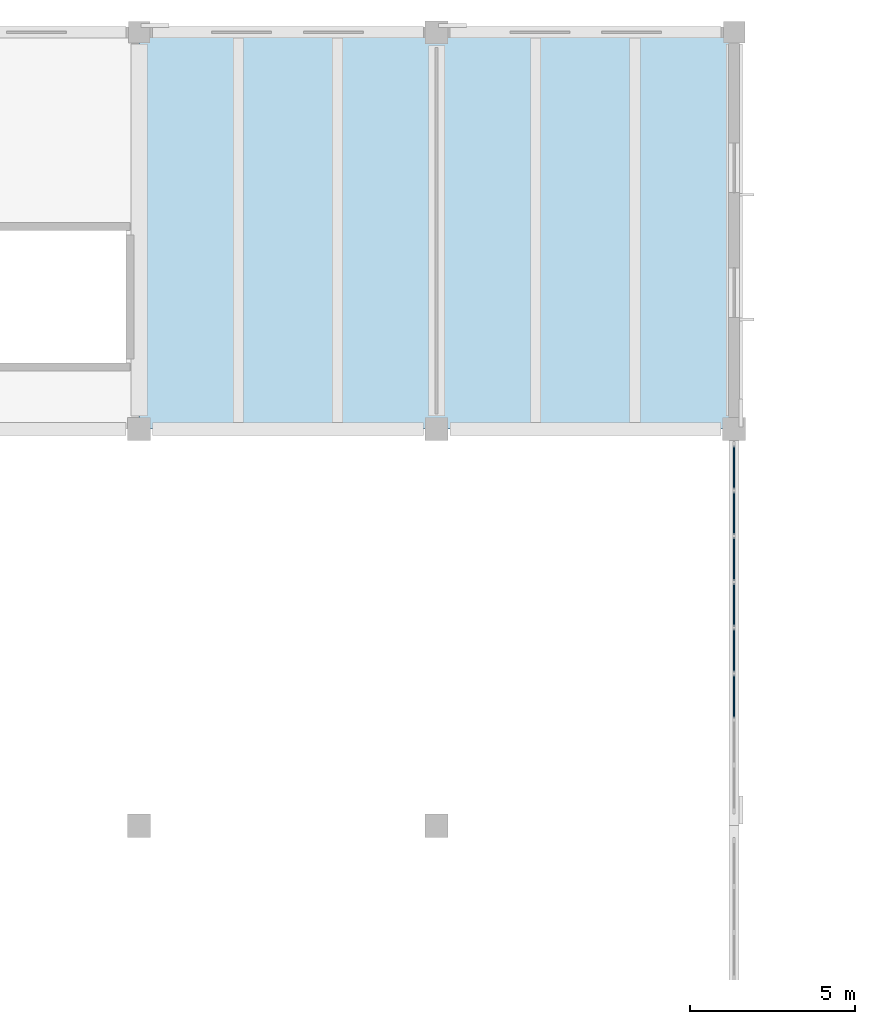
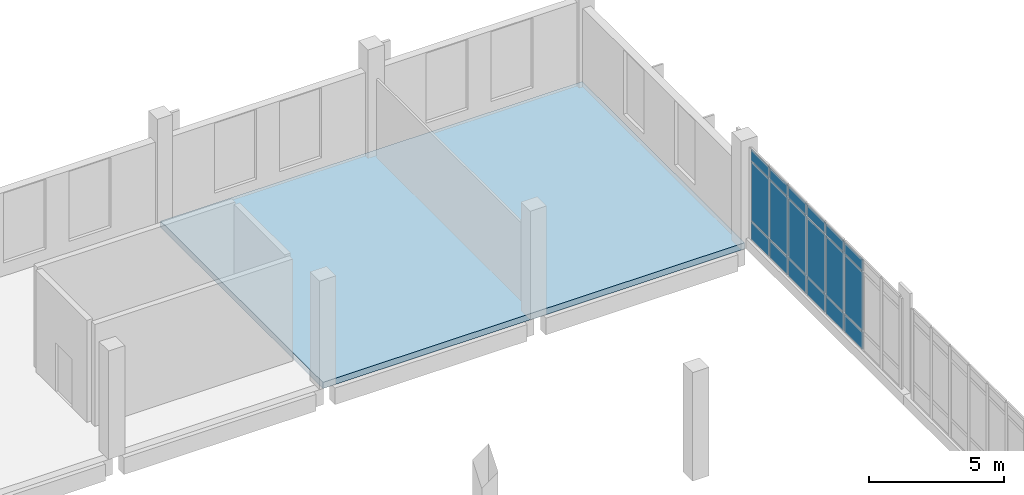
# One storey, part 70 of 110: 18 plates, 1 slab, 1 element without a shape of its own.
"""IFC4 building model written with IfcOpenShell, lengths in metres."""

import ifcopenshell
import ifcopenshell.guid

model = None  # the IFC model being written
_history = None  # IfcOwnerHistory: only IFC2X3 demands one
_inside = {}  # id of a spatial element -> (the spatial element, [elements in it])
_under = {}  # id of a project, library or spatial element -> (it, [spatial elements below it])
_declared = {}  # id of a project -> (the project, [libraries it declares])
_typed = {}  # id of a type object -> (the type object, [elements of that type])
_made_of = {}  # id of a material, layer set ... -> (it, [elements and type objects made of it])


def new_model(schema):
    """Start an empty IFC model of exactly this schema.

    Asked for "IFC4X3", IfcOpenShell would pick the latest addendum, in which some entities
    have other attributes; the version numbers below select the first issue.
    IFC2X3 requires an IfcOwnerHistory on every rooted entity: one is made here for all.
    """
    global model, _history
    if schema == "IFC4X3":
        model = ifcopenshell.file(schema_version=(4, 3, 0, 0))
    else:
        model = ifcopenshell.file(schema=schema)
    _inside.clear()
    _under.clear()
    _declared.clear()
    _typed.clear()
    _made_of.clear()
    _history = None
    if model.schema == "IFC2X3":
        org = make("IfcOrganization", Name="unknown")
        user = make(
            "IfcPersonAndOrganization",
            ThePerson=make("IfcPerson", FamilyName="unknown"),
            TheOrganization=org,
        )
        app = make(
            "IfcApplication",
            ApplicationDeveloper=org,
            Version="unknown",
            ApplicationFullName="unknown",
            ApplicationIdentifier="unknown",
        )
        _history = make(
            "IfcOwnerHistory",
            OwningUser=user,
            OwningApplication=app,
            ChangeAction="ADDED",
            CreationDate=0,
        )
    return model


def make(cls, **values):
    """One entity of the class cls with the attributes given. An attribute that is None is left unset."""
    return model.create_entity(
        cls, **{name: value for name, value in values.items() if value is not None}
    )


def rooted(cls, **values):
    """An entity with a GlobalId (a new one), such as an element, a storey or a relation."""
    return make(cls, GlobalId=ifcopenshell.guid.new(), OwnerHistory=_history, **values)


def si_unit(unit_type, name, prefix=None):
    """IfcSIUnit, for example si_unit("LENGTHUNIT", "METRE", prefix="MILLI")."""
    return make("IfcSIUnit", UnitType=unit_type, Prefix=prefix, Name=name)


def assignment(units):
    """IfcUnitAssignment: the units of a project."""
    return None if units is None else make("IfcUnitAssignment", Units=units)


def point(xyz):
    """IfcCartesianPoint."""
    return None if xyz is None else make("IfcCartesianPoint", Coordinates=xyz)


def direction(xyz):
    """IfcDirection."""
    return None if xyz is None else make("IfcDirection", DirectionRatios=xyz)


def frame(location, z_axis=None, x_axis=None):
    """IfcAxis2Placement3D, a coordinate frame: its origin and axes. An axis left out is left unset."""
    return make(
        "IfcAxis2Placement3D",
        Location=point(location),
        Axis=direction(z_axis),
        RefDirection=direction(x_axis),
    )


def frame_2d(location, x_axis=None):
    """IfcAxis2Placement2D, a coordinate frame in the plane: its origin and x axis."""
    return make(
        "IfcAxis2Placement2D", Location=point(location), RefDirection=direction(x_axis)
    )


def origin():
    """The frame at (0, 0, 0) with its axes left unset."""
    return frame((0.0, 0.0, 0.0))


def origin_2d():
    """The frame at (0, 0) in the plane with its x axis left unset."""
    return frame_2d((0.0, 0.0))


def place(relative_to, where):
    """IfcLocalPlacement: puts the frame where relative to a parent placement (None: the world)."""
    return make(
        "IfcLocalPlacement", PlacementRelTo=relative_to, RelativePlacement=where
    )


def context(
    kind, dimensions, precision=None, world=None, true_north=None, identifier=None
):
    """IfcGeometricRepresentationContext, for example the 3D "Model" context."""
    return make(
        "IfcGeometricRepresentationContext",
        ContextIdentifier=identifier,
        ContextType=kind,
        CoordinateSpaceDimension=dimensions,
        Precision=precision,
        WorldCoordinateSystem=world,
        TrueNorth=true_north,
    )


def subcontext(parent, identifier, kind, view, scale=None):
    """IfcGeometricRepresentationSubContext, for example "Body" below "Model"."""
    return make(
        "IfcGeometricRepresentationSubContext",
        ContextIdentifier=identifier,
        ContextType=kind,
        ParentContext=parent,
        TargetScale=scale,
        TargetView=view,
    )


def project(units=None, contexts=None):
    """IfcProject with its units and contexts."""
    return rooted(
        "IfcProject",
        Name="project",
        RepresentationContexts=contexts,
        UnitsInContext=assignment(units),
    )


def spatial(cls, under=None, at=None, **own):
    """A site, building, storey or space (cls), placed at a placement, below another one or the project."""
    s = rooted(cls, ObjectPlacement=at, **own)
    if under is not None:
        _under.setdefault(under.id(), (under, []))[1].append(s)
    return s


def polyline(points):
    """IfcPolyline through the points."""
    return make("IfcPolyline", Points=[point(p) for p in points])


def profile(cls, at=None, kind="AREA", **sizes):
    """A parametric profile (cls). Its sizes go by their IFC names, for example OverallWidth=200.0."""
    return make(cls, ProfileType=kind, Position=at, **sizes)


def rectangle(**sizes):
    """IfcRectangleProfileDef."""
    return profile("IfcRectangleProfileDef", **sizes)


def outline(outer, holes=None, kind="AREA"):
    """IfcArbitraryClosedProfileDef: a profile drawn as a closed curve; with holes, ...WithVoids."""
    if holes is None:
        return make("IfcArbitraryClosedProfileDef", ProfileType=kind, OuterCurve=outer)
    return make(
        "IfcArbitraryProfileDefWithVoids",
        ProfileType=kind,
        OuterCurve=outer,
        InnerCurves=holes,
    )


def extrude(swept, where, along, depth):
    """IfcExtrudedAreaSolid: the profile swept, set in the frame where, extruded along a direction by depth."""
    return make(
        "IfcExtrudedAreaSolid",
        SweptArea=swept,
        Position=where,
        ExtrudedDirection=direction(along),
        Depth=depth,
    )


def shape(context_of_items, identifier, shape_type, items):
    """IfcShapeRepresentation: the items that make up one representation, for example the "Body"."""
    return make(
        "IfcShapeRepresentation",
        ContextOfItems=context_of_items,
        RepresentationIdentifier=identifier,
        RepresentationType=shape_type,
        Items=items,
    )


def material(Name=None, Category=None):
    """IfcMaterial."""
    return make("IfcMaterial", Name=Name, Category=Category)


def layer(
    of_material, thickness, ventilated=None, Name=None, Category=None, Priority=None
):
    """IfcMaterialLayer: one layer of a wall or slab, of a material (None: an air gap)."""
    return make(
        "IfcMaterialLayer",
        Material=of_material,
        LayerThickness=thickness,
        IsVentilated=ventilated,
        Name=Name,
        Category=Category,
        Priority=Priority,
    )


def layer_set(layers, Name=None):
    """IfcMaterialLayerSet."""
    return make("IfcMaterialLayerSet", MaterialLayers=layers, LayerSetName=Name)


def made_of(thing, what):
    """Note that an element or type object is made of a material, layer set ...; save() writes the relation."""
    if what is not None:
        _made_of.setdefault(what.id(), (what, []))[1].append(thing)
    return thing


def type_object(cls, material=None, **own):
    """A type object (cls), such as IfcWallType, which elements share."""
    return made_of(rooted(cls, **own), material)


def element(
    cls,
    number,
    at=None,
    inside=None,
    cuts=None,
    type_object=None,
    material=None,
    context=None,
    identifier="Body",
    shape_type=None,
    held_by="IfcProductDefinitionShape",
    body=None,
    shapes=None,
    **own,
):
    """One element of the class cls, such as IfcWall. Its Tag is "e" and its number.

    at: its placement. inside: the storey or other place that contains it. cuts: it is an
    opening in that element (IfcRelVoidsElement). A single representation is given by context,
    identifier, shape_type and body (its items); several are given by shapes. held_by: the class
    of the entity that holds the representations. save() writes the other relations.
    """
    e = rooted(cls, Tag="e%d" % number, ObjectPlacement=at, **own)
    if body is not None:
        shapes = [shape(context, identifier, shape_type, body)]
    if shapes is not None:
        e.Representation = make(held_by, Representations=shapes)
    if inside is not None:
        _inside.setdefault(inside.id(), (inside, []))[1].append(e)
    if cuts is not None:
        rooted(
            "IfcRelVoidsElement", RelatingBuildingElement=cuts, RelatedOpeningElement=e
        )
    if type_object is not None:
        _typed.setdefault(type_object.id(), (type_object, []))[1].append(e)
    return made_of(e, material)


def aggregate(whole, parts):
    """IfcRelAggregates: a whole, such as a stair, and the parts it consists of."""
    return rooted("IfcRelAggregates", RelatingObject=whole, RelatedObjects=parts)


def save(model, path):
    """Write the relations noted so far, then the file.

    IfcRelAggregates (storeys below a building ...), IfcRelContainedInSpatialStructure (elements
    in a storey), IfcRelDefinesByType, IfcRelAssociatesMaterial and IfcRelDeclares: one each for
    every whole, place, type object, material and project.
    """
    for whole, parts in _under.values():
        aggregate(whole, parts)
    for where, things in _inside.values():
        rooted(
            "IfcRelContainedInSpatialStructure",
            RelatedElements=things,
            RelatingStructure=where,
        )
    for kind, things in _typed.values():
        rooted("IfcRelDefinesByType", RelatedObjects=things, RelatingType=kind)
    for what, things in _made_of.values():
        rooted("IfcRelAssociatesMaterial", RelatedObjects=things, RelatingMaterial=what)
    for by, libraries in _declared.values():
        rooted("IfcRelDeclares", RelatingContext=by, RelatedDefinitions=libraries)
    model.write(path)


model = new_model("IFC4")

# Units and contexts
model_context = context("Model", 3, precision=1e-05, world=origin(), true_north=direction((0.0, 1.0)))
body_context = subcontext(model_context, "Body", "Model", "MODEL_VIEW")
ifc_project = project(units=[si_unit("LENGTHUNIT", "METRE"), si_unit("AREAUNIT", "SQUARE_METRE"), si_unit("VOLUMEUNIT", "CUBIC_METRE"), si_unit("PLANEANGLEUNIT", "RADIAN"), si_unit("MASSUNIT", "GRAM", prefix="KILO")], contexts=[model_context])

# Site, building, storey
site_placement = place(None, origin())
site = spatial("IfcSite", under=ifc_project, at=site_placement, CompositionType="ELEMENT")
building_placement = place(site_placement, origin())
building = spatial("IfcBuilding", under=site, at=building_placement, Name="Zacnel Wholesale Market", CompositionType="ELEMENT")
storey_placement = place(building_placement, frame((0.0, 0.0, 6.300048828125)))
storey = spatial("IfcBuildingStorey", under=building, at=storey_placement, Name="L02", CompositionType="ELEMENT", Elevation=6.300048828125)

# Curtain wall, plates
ifc_material_1 = material(Name="Anodised aluminium", Category="aluminium")
ifc_layer_1 = layer(ifc_material_1, 0.159912109375)
ifc_layer_set_1 = layer_set([ifc_layer_1], Name="Anodised aluminium")
curtain_wall_type = type_object("IfcCurtainWallType", Name="CW-NAVE-4200", PredefinedType="NOTDEFINED", material=ifc_layer_set_1)
curtain_wall_placement = place(storey_placement, origin())
curtain_wall = element("IfcCurtainWall", 1, at=curtain_wall_placement, inside=storey, type_object=curtain_wall_type, Name="Curtain wall ENV-R2-CW-L02-034", PredefinedType="NOTDEFINED")
ifc_material_2 = material(Name="Laminated hurricane-impact low-E insulated glass", Category="glass")
ifc_layer_2 = layer(ifc_material_2, 0.031982421875)
ifc_layer_set_2 = layer_set([ifc_layer_2], Name="Laminated hurricane-impact low-E insulated glass")
plate_type_1 = type_object("IfcPlateType", Name="CWP-PNL-02", PredefinedType="CURTAIN_PANEL", material=ifc_layer_set_2)
plate_1_placement = place(storey_placement, frame((189.0, 123.91259765625, 1.330078125), z_axis=(0.0, 0.0, 1.0), x_axis=(0.0, 1.0, 0.0)))
plate_1 = element("IfcPlate", 2, at=plate_1_placement, type_object=plate_type_1, Name="ENV-R2-CW-L02-034 panel 3-2", PredefinedType="CURTAIN_PANEL", context=body_context, shape_type="SweptSolid", body=[
    extrude(rectangle(XDim=1.31494140625, YDim=0.031982421875, at=origin_2d()), origin(), (0.0, 0.0, 1.0), 2.639892578125),
])
plate_2_placement = place(storey_placement, frame((189.0, 125.297607421875, 1.330078125), z_axis=(0.0, 0.0, 1.0), x_axis=(0.0, 1.0, 0.0)))
plate_2 = element("IfcPlate", 3, at=plate_2_placement, type_object=plate_type_1, Name="ENV-R2-CW-L02-034 panel 4-2", PredefinedType="CURTAIN_PANEL", context=body_context, shape_type="SweptSolid", body=[
    extrude(rectangle(XDim=1.31494140625, YDim=0.031982421875, at=origin_2d()), origin(), (0.0, 0.0, 1.0), 2.639892578125),
])
plate_3_placement = place(storey_placement, frame((189.0, 126.6826171875, 1.330078125), z_axis=(0.0, 0.0, 1.0), x_axis=(0.0, 1.0, 0.0)))
plate_3 = element("IfcPlate", 4, at=plate_3_placement, type_object=plate_type_1, Name="ENV-R2-CW-L02-034 panel 5-2", PredefinedType="CURTAIN_PANEL", context=body_context, shape_type="SweptSolid", body=[
    extrude(rectangle(XDim=1.31494140625, YDim=0.031982421875, at=origin_2d()), origin(), (0.0, 0.0, 1.0), 2.639892578125),
])
plate_4_placement = place(storey_placement, frame((189.0, 128.0673828125, 1.330078125), z_axis=(0.0, 0.0, 1.0), x_axis=(0.0, 1.0, 0.0)))
plate_4 = element("IfcPlate", 5, at=plate_4_placement, type_object=plate_type_1, Name="ENV-R2-CW-L02-034 panel 6-2", PredefinedType="CURTAIN_PANEL", context=body_context, shape_type="SweptSolid", body=[
    extrude(rectangle(XDim=1.31494140625, YDim=0.031982421875, at=origin_2d()), origin(), (0.0, 0.0, 1.0), 2.639892578125),
])
plate_5_placement = place(storey_placement, frame((189.0, 129.452392578125, 1.330078125), z_axis=(0.0, 0.0, 1.0), x_axis=(0.0, 1.0, 0.0)))
plate_5 = element("IfcPlate", 6, at=plate_5_placement, type_object=plate_type_1, Name="ENV-R2-CW-L02-034 panel 7-2", PredefinedType="CURTAIN_PANEL", context=body_context, shape_type="SweptSolid", body=[
    extrude(rectangle(XDim=1.31494140625, YDim=0.031982421875, at=origin_2d()), origin(), (0.0, 0.0, 1.0), 2.639892578125),
])
plate_6_placement = place(storey_placement, frame((189.0, 130.83740234375, 1.330078125), z_axis=(0.0, 0.0, 1.0), x_axis=(0.0, 1.0, 0.0)))
plate_6 = element("IfcPlate", 7, at=plate_6_placement, type_object=plate_type_1, Name="ENV-R2-CW-L02-034 panel 8-2", PredefinedType="CURTAIN_PANEL", context=body_context, shape_type="SweptSolid", body=[
    extrude(rectangle(XDim=1.31494140625, YDim=0.031982421875, at=origin_2d()), origin(), (0.0, 0.0, 1.0), 2.639892578125),
])
ifc_material_3 = material(Name="Anodised aluminium", Category="aluminium")
ifc_layer_3 = layer(ifc_material_3, 0.0400390625)
ifc_layer_set_3 = layer_set([ifc_layer_3], Name="Anodised aluminium")
plate_type_2 = type_object("IfcPlateType", Name="CWP-PNL-05", PredefinedType="CURTAIN_PANEL", material=ifc_layer_set_3)
plate_7_placement = place(storey_placement, frame((189.0, 123.91259765625, 0.47998046875), z_axis=(0.0, 0.0, 1.0), x_axis=(0.0, 1.0, 0.0)))
plate_7 = element("IfcPlate", 8, at=plate_7_placement, type_object=plate_type_2, Name="ENV-R2-CW-L02-034 panel 3-1", PredefinedType="CURTAIN_PANEL", context=body_context, shape_type="SweptSolid", body=[
    extrude(rectangle(XDim=1.31494140625, YDim=0.0400390625, at=origin_2d()), origin(), (0.0, 0.0, 1.0), 0.7900390625),
])
plate_8_placement = place(storey_placement, frame((189.0, 123.91259765625, 4.02978515625), z_axis=(0.0, 0.0, 1.0), x_axis=(0.0, 1.0, 0.0)))
plate_8 = element("IfcPlate", 9, at=plate_8_placement, type_object=plate_type_2, Name="ENV-R2-CW-L02-034 panel 3-3", PredefinedType="CURTAIN_PANEL", context=body_context, shape_type="SweptSolid", body=[
    extrude(rectangle(XDim=1.31494140625, YDim=0.0400390625, at=origin_2d()), origin(), (0.0, 0.0, 1.0), 0.489990234375),
])
plate_9_placement = place(storey_placement, frame((189.0, 126.6826171875, 0.47998046875), z_axis=(0.0, 0.0, 1.0), x_axis=(0.0, 1.0, 0.0)))
plate_9 = element("IfcPlate", 10, at=plate_9_placement, type_object=plate_type_2, Name="ENV-R2-CW-L02-034 panel 5-1", PredefinedType="CURTAIN_PANEL", context=body_context, shape_type="SweptSolid", body=[
    extrude(rectangle(XDim=1.31494140625, YDim=0.0400390625, at=origin_2d()), origin(), (0.0, 0.0, 1.0), 0.7900390625),
])
plate_10_placement = place(storey_placement, frame((189.0, 126.6826171875, 4.02978515625), z_axis=(0.0, 0.0, 1.0), x_axis=(0.0, 1.0, 0.0)))
plate_10 = element("IfcPlate", 11, at=plate_10_placement, type_object=plate_type_2, Name="ENV-R2-CW-L02-034 panel 5-3", PredefinedType="CURTAIN_PANEL", context=body_context, shape_type="SweptSolid", body=[
    extrude(rectangle(XDim=1.31494140625, YDim=0.0400390625, at=origin_2d()), origin(), (0.0, 0.0, 1.0), 0.489990234375),
])
plate_11_placement = place(storey_placement, frame((189.0, 129.452392578125, 0.47998046875), z_axis=(0.0, 0.0, 1.0), x_axis=(0.0, 1.0, 0.0)))
plate_11 = element("IfcPlate", 12, at=plate_11_placement, type_object=plate_type_2, Name="ENV-R2-CW-L02-034 panel 7-1", PredefinedType="CURTAIN_PANEL", context=body_context, shape_type="SweptSolid", body=[
    extrude(rectangle(XDim=1.31494140625, YDim=0.0400390625, at=origin_2d()), origin(), (0.0, 0.0, 1.0), 0.7900390625),
])
plate_12_placement = place(storey_placement, frame((189.0, 129.452392578125, 4.02978515625), z_axis=(0.0, 0.0, 1.0), x_axis=(0.0, 1.0, 0.0)))
plate_12 = element("IfcPlate", 13, at=plate_12_placement, type_object=plate_type_2, Name="ENV-R2-CW-L02-034 panel 7-3", PredefinedType="CURTAIN_PANEL", context=body_context, shape_type="SweptSolid", body=[
    extrude(rectangle(XDim=1.31494140625, YDim=0.0400390625, at=origin_2d()), origin(), (0.0, 0.0, 1.0), 0.489990234375),
])
ifc_material_4 = material(Name="Honed Yucatan Maya cream limestone", Category="masonry")
ifc_layer_4 = layer(ifc_material_4, 0.044921875)
ifc_layer_set_4 = layer_set([ifc_layer_4], Name="Honed Yucatan Maya cream limestone")
plate_type_3 = type_object("IfcPlateType", Name="CWP-PNL-06", PredefinedType="CURTAIN_PANEL", material=ifc_layer_set_4)
plate_13_placement = place(storey_placement, frame((189.0, 125.297607421875, 0.47998046875), z_axis=(0.0, 0.0, 1.0), x_axis=(0.0, 1.0, 0.0)))
plate_13 = element("IfcPlate", 14, at=plate_13_placement, type_object=plate_type_3, Name="ENV-R2-CW-L02-034 panel 4-1", PredefinedType="CURTAIN_PANEL", context=body_context, shape_type="SweptSolid", body=[
    extrude(rectangle(XDim=1.31494140625, YDim=0.044921875, at=origin_2d()), origin(), (0.0, 0.0, 1.0), 0.7900390625),
])
plate_14_placement = place(storey_placement, frame((189.0, 125.297607421875, 4.02978515625), z_axis=(0.0, 0.0, 1.0), x_axis=(0.0, 1.0, 0.0)))
plate_14 = element("IfcPlate", 15, at=plate_14_placement, type_object=plate_type_3, Name="ENV-R2-CW-L02-034 panel 4-3", PredefinedType="CURTAIN_PANEL", context=body_context, shape_type="SweptSolid", body=[
    extrude(rectangle(XDim=1.31494140625, YDim=0.044921875, at=origin_2d()), origin(), (0.0, 0.0, 1.0), 0.489990234375),
])
plate_15_placement = place(storey_placement, frame((189.0, 128.0673828125, 0.47998046875), z_axis=(0.0, 0.0, 1.0), x_axis=(0.0, 1.0, 0.0)))
plate_15 = element("IfcPlate", 16, at=plate_15_placement, type_object=plate_type_3, Name="ENV-R2-CW-L02-034 panel 6-1", PredefinedType="CURTAIN_PANEL", context=body_context, shape_type="SweptSolid", body=[
    extrude(rectangle(XDim=1.31494140625, YDim=0.044921875, at=origin_2d()), origin(), (0.0, 0.0, 1.0), 0.7900390625),
])
plate_16_placement = place(storey_placement, frame((189.0, 128.0673828125, 4.02978515625), z_axis=(0.0, 0.0, 1.0), x_axis=(0.0, 1.0, 0.0)))
plate_16 = element("IfcPlate", 17, at=plate_16_placement, type_object=plate_type_3, Name="ENV-R2-CW-L02-034 panel 6-3", PredefinedType="CURTAIN_PANEL", context=body_context, shape_type="SweptSolid", body=[
    extrude(rectangle(XDim=1.31494140625, YDim=0.044921875, at=origin_2d()), origin(), (0.0, 0.0, 1.0), 0.489990234375),
])
plate_17_placement = place(storey_placement, frame((189.0, 130.83740234375, 0.47998046875), z_axis=(0.0, 0.0, 1.0), x_axis=(0.0, 1.0, 0.0)))
plate_17 = element("IfcPlate", 18, at=plate_17_placement, type_object=plate_type_3, Name="ENV-R2-CW-L02-034 panel 8-1", PredefinedType="CURTAIN_PANEL", context=body_context, shape_type="SweptSolid", body=[
    extrude(rectangle(XDim=1.31494140625, YDim=0.044921875, at=origin_2d()), origin(), (0.0, 0.0, 1.0), 0.7900390625),
])
plate_18_placement = place(storey_placement, frame((189.0, 130.83740234375, 4.02978515625), z_axis=(0.0, 0.0, 1.0), x_axis=(0.0, 1.0, 0.0)))
plate_18 = element("IfcPlate", 19, at=plate_18_placement, type_object=plate_type_3, Name="ENV-R2-CW-L02-034 panel 8-3", PredefinedType="CURTAIN_PANEL", context=body_context, shape_type="SweptSolid", body=[
    extrude(rectangle(XDim=1.31494140625, YDim=0.044921875, at=origin_2d()), origin(), (0.0, 0.0, 1.0), 0.489990234375),
])
aggregate(curtain_wall, [plate_7, plate_1, plate_8, plate_13, plate_2, plate_14, plate_9, plate_3, plate_10, plate_15, plate_4, plate_16, plate_11, plate_5, plate_12, plate_17, plate_6, plate_18])

# Slab
ifc_material_5 = material(Name="Precast concrete C45/55", Category="concrete")
ifc_layer_5 = layer(ifc_material_5, 0.280029296875)
ifc_layer_set_5 = layer_set([ifc_layer_5], Name="Precast concrete C45/55")
slab_type = type_object("IfcSlabType", Name="SLB-FLR-280", PredefinedType="FLOOR", material=ifc_layer_set_5)
slab_placement = place(storey_placement, frame((0.0, 0.0, -0.280029296875)))
element("IfcSlab", 20, at=slab_placement, inside=storey, type_object=slab_type, Name="Structural slab SLB-L02-V1N-E-P2", PredefinedType="FLOOR", context=body_context, shape_type="SweptSolid", body=[
    extrude(outline(polyline([(189.0, 132.0), (171.0, 132.0), (171.0, 144.0), (189.0, 144.0), (189.0, 132.0)])), origin(), (0.0, 0.0, 1.0), 0.280029296875),
])

save(model, "model.ifc")
